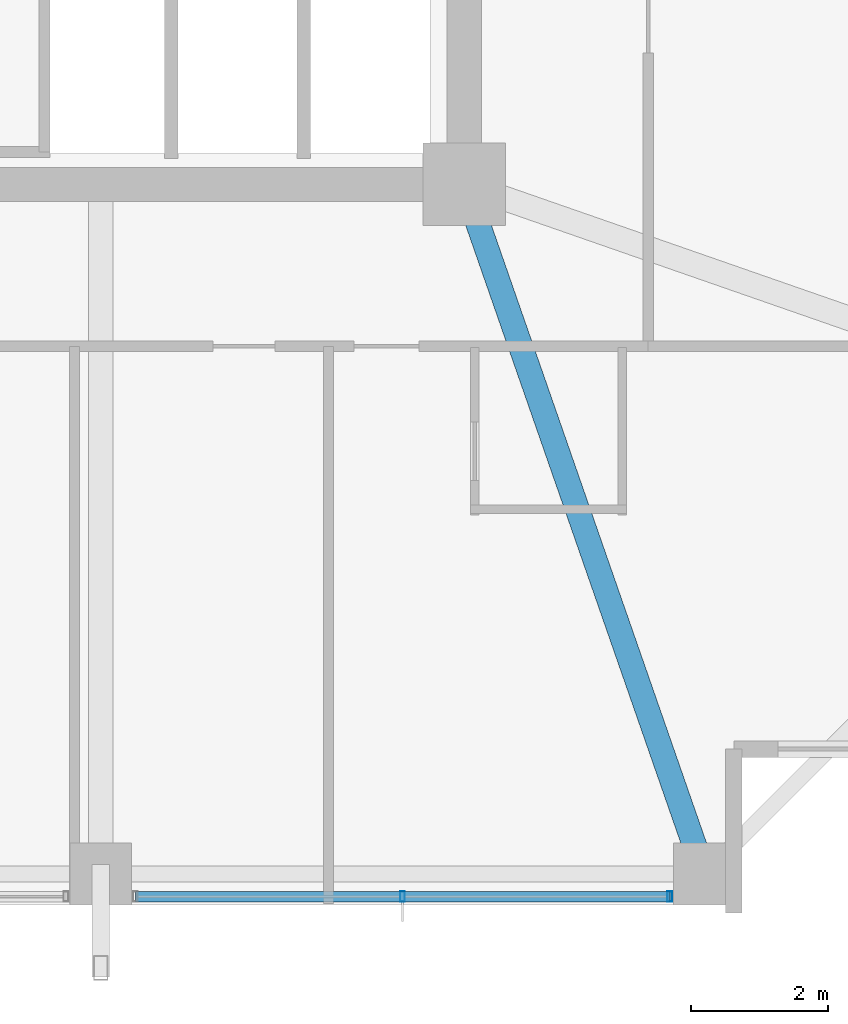
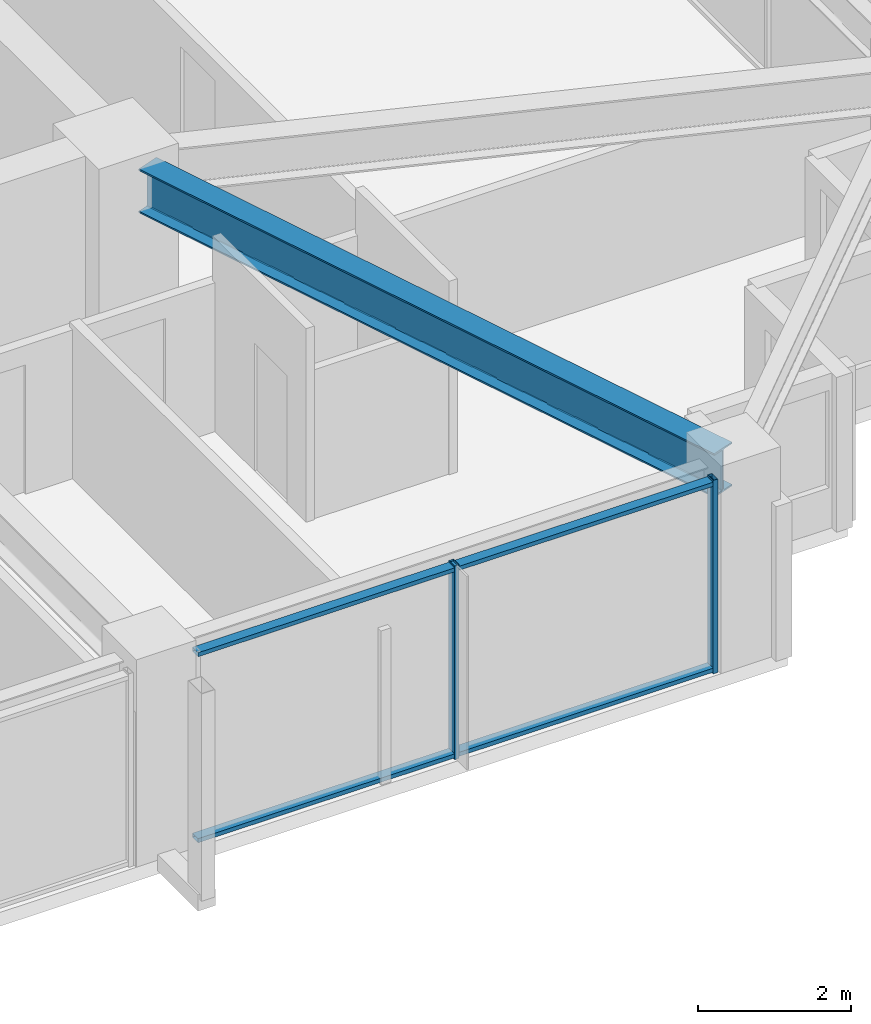
# One storey, part 10 of 35: 4 members, 1 beam, 1 element without a shape of its own.
"""IFC4 building model written with IfcOpenShell, lengths in metres."""

from ifc_helpers import new_model, si_unit, direction, frame, origin, origin_2d, place, context, subcontext, project, spatial, hollow_rectangle, i_section, extrude, material, material_profile, profile_set, type_object, element, aggregate, save


model = new_model("IFC4")

# Units and contexts
model_context = context("Model", 3, precision=1e-05, world=origin(), true_north=direction((0.0, 1.0)))
body_context = subcontext(model_context, "Body", "Model", "MODEL_VIEW")
ifc_project = project(units=[si_unit("LENGTHUNIT", "METRE"), si_unit("AREAUNIT", "SQUARE_METRE"), si_unit("VOLUMEUNIT", "CUBIC_METRE"), si_unit("PLANEANGLEUNIT", "RADIAN"), si_unit("MASSUNIT", "GRAM", prefix="KILO")], contexts=[model_context])

# Site, building, storey
site_placement = place(None, origin())
site = spatial("IfcSite", under=ifc_project, at=site_placement, CompositionType="ELEMENT")
building_placement = place(site_placement, origin())
building = spatial("IfcBuilding", under=site, at=building_placement, Name="Kolvaren Belvedere", CompositionType="ELEMENT")
storey_placement = place(building_placement, frame((0.0, 0.0, 176.699951171875)))
storey = spatial("IfcBuildingStorey", under=building, at=storey_placement, Name="L51", CompositionType="ELEMENT", Elevation=176.699951171875)

# Beam
ifc_material_1 = material(Name="Structural steel ASTM A992 Grade 50", Category="steel")
ifc_material_profile_1 = material_profile(ifc_material_1, i_section(OverallWidth=0.35498046875, OverallDepth=0.696044921875, WebThickness=0.015380859375, FlangeThickness=0.02490234375, FilletRadius=0.02197265625, at=origin_2d()), Name="W27X146")
ifc_profile_set_1 = profile_set([ifc_material_profile_1], Name="Structural steel ASTM A992 Grade 50")
beam_type = type_object("IfcBeamType", Name="BM-GIRD-W27X146", PredefinedType="BEAM", material=ifc_profile_set_1)
beam_placement = place(storey_placement, frame((10.080810546875, -10.41943359375, 2.73193359375), z_axis=(0.328894130701, -0.944366798861, 0.0), x_axis=(0.944366798861, 0.328894130701, 0.0)))
element("IfcBeam", 1, at=beam_placement, inside=storey, type_object=beam_type, Name="L51 Corner Core-to-Perimeter Girder CC2-S4", PredefinedType="BEAM", context=body_context, shape_type="SweptSolid", body=[
    extrude(i_section(OverallWidth=0.35498046875, OverallDepth=0.696044921875, WebThickness=0.015380859375, FlangeThickness=0.02490234375, FilletRadius=0.02197265625, at=origin_2d()), origin(), (0.0, 0.0, 1.0), 9.912109375),
])

# Curtain wall, members
ifc_material_2 = material(Name="Anodised pale-metal aluminium AA 6063-T6", Category="aluminium")
curtain_wall_type = type_object("IfcCurtainWallType", Name="CW-Z5-HIGH", PredefinedType="NOTDEFINED", material=ifc_material_2)
curtain_wall_placement = place(storey_placement, origin())
curtain_wall = element("IfcCurtainWall", 2, at=curtain_wall_placement, inside=storey, type_object=curtain_wall_type, Name="L51 Unitised Curtain Wall FCW-L51-S-B1", PredefinedType="NOTDEFINED")
ifc_material_3 = material(Name="Anodised pale-metal aluminium AA 6063-T6", Category="aluminium")
ifc_material_profile_2 = material_profile(ifc_material_3, hollow_rectangle(XDim=0.070068359375, YDim=0.14990234375, WallThickness=0.004150390625, at=origin_2d()), Name="ALU-MUL-150X70")
ifc_profile_set_2 = profile_set([ifc_material_profile_2], Name="Anodised pale-metal aluminium AA 6063-T6")
member_type_1 = type_object("IfcMemberType", Name="CW-MUL-150", PredefinedType="MULLION", material=ifc_profile_set_2)
member_1_placement = place(storey_placement, frame((12.89501953125, -20.280029296875, 0.0), z_axis=(0.0, 0.0, 1.0), x_axis=(1.0, 0.0, 0.0)))
member_1 = element("IfcMember", 3, at=member_1_placement, type_object=member_type_1, Name="FCW-L51-S-B1 Unitised Mullion 1", PredefinedType="MULLION", context=body_context, shape_type="SweptSolid", body=[
    extrude(hollow_rectangle(XDim=0.070068359375, YDim=0.14990234375, WallThickness=0.004150390625, at=origin_2d()), origin(), (0.0, 0.0, 1.0), 3.080078125),
])
member_2_placement = place(storey_placement, frame((9.0, -20.280029296875, 0.0), z_axis=(0.0, 0.0, 1.0), x_axis=(1.0, 0.0, 0.0)))
member_2 = element("IfcMember", 4, at=member_2_placement, type_object=member_type_1, Name="FCW-L51-S-B1 Unitised Mullion 2", PredefinedType="MULLION", context=body_context, shape_type="SweptSolid", body=[
    extrude(hollow_rectangle(XDim=0.070068359375, YDim=0.14990234375, WallThickness=0.004150390625, at=origin_2d()), origin(), (0.0, 0.0, 1.0), 3.080078125),
])
ifc_material_4 = material(Name="Anodised pale-metal aluminium AA 6063-T6", Category="aluminium")
ifc_material_profile_3 = material_profile(ifc_material_4, hollow_rectangle(XDim=0.06494140625, YDim=0.14990234375, WallThickness=0.00390625, at=origin_2d()), Name="ALU-TRN-150X65")
ifc_profile_set_3 = profile_set([ifc_material_profile_3], Name="Anodised pale-metal aluminium AA 6063-T6")
member_type_2 = type_object("IfcMemberType", Name="CW-TRN-150", PredefinedType="USERDEFINED", material=ifc_profile_set_3)
member_3_placement = place(storey_placement, frame((12.89501953125, -20.280029296875, 0.06005859375), z_axis=(-1.0, 0.0, 0.0), x_axis=(0.0, 0.0, 1.0)))
member_3 = element("IfcMember", 5, at=member_3_placement, type_object=member_type_2, Name="FCW-L51-S-B1 Sill Transom", ObjectType="TRANSOM", PredefinedType="USERDEFINED", context=body_context, shape_type="SweptSolid", body=[
    extrude(hollow_rectangle(XDim=0.06494140625, YDim=0.14990234375, WallThickness=0.00390625, at=origin_2d()), origin(), (0.0, 0.0, 1.0), 7.7900390625),
])
member_4_placement = place(storey_placement, frame((12.89501953125, -20.280029296875, 3.02001953125), z_axis=(-1.0, 0.0, 0.0), x_axis=(0.0, 0.0, 1.0)))
member_4 = element("IfcMember", 6, at=member_4_placement, type_object=member_type_2, Name="FCW-L51-S-B1 Head Transom", ObjectType="TRANSOM", PredefinedType="USERDEFINED", context=body_context, shape_type="SweptSolid", body=[
    extrude(hollow_rectangle(XDim=0.06494140625, YDim=0.14990234375, WallThickness=0.00390625, at=origin_2d()), origin(), (0.0, 0.0, 1.0), 7.7900390625),
])
aggregate(curtain_wall, [member_1, member_2, member_3, member_4])

save(model, "model.ifc")
